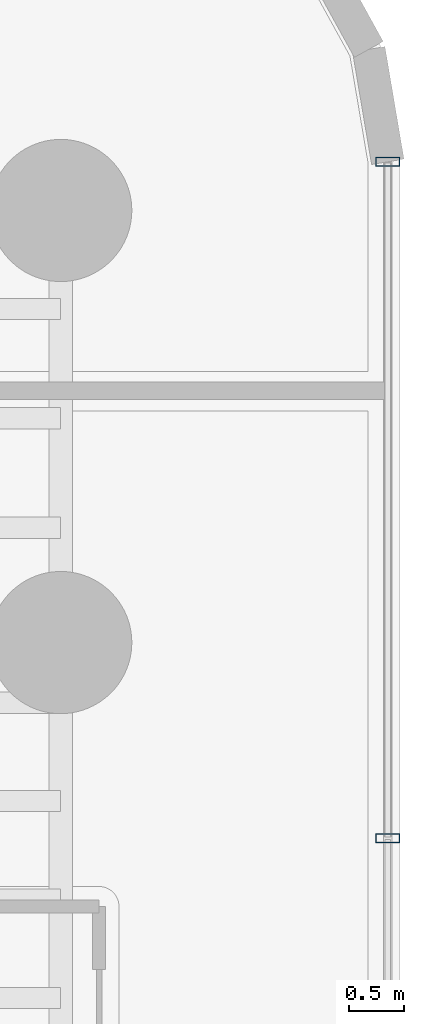
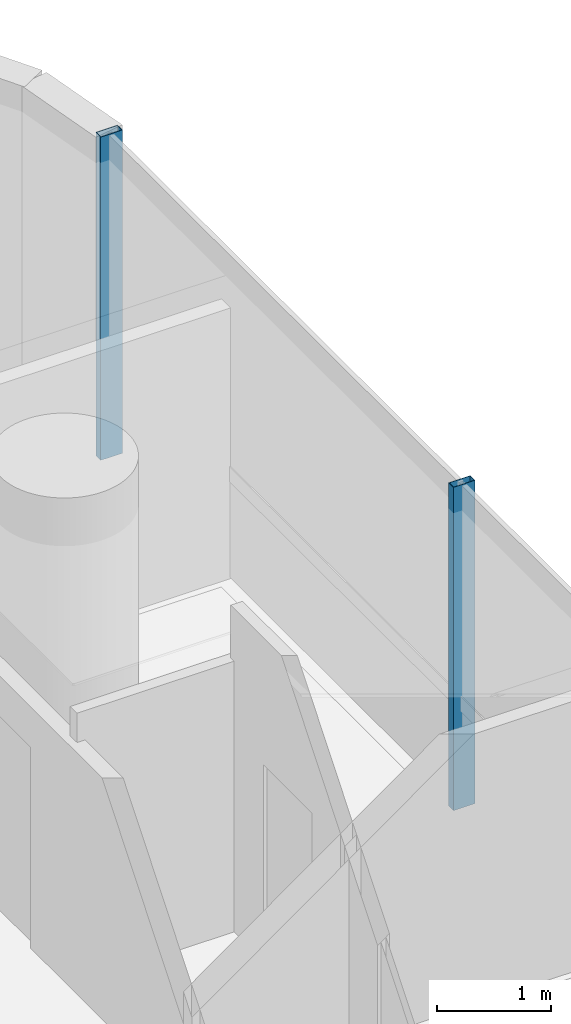
# One storey, part 26 of 39: 2 members, 1 element without a shape of its own.
"""IFC4 building model written with IfcOpenShell, lengths in metres."""

from ifc_helpers import new_model, si_unit, direction, frame, origin, origin_2d, place, context, subcontext, project, spatial, hollow_rectangle, extrude, source, transform, mapped, material, material_profile, profile_set, type_object, element, aggregate, save


model = new_model("IFC4")

# Units and contexts
model_context = context("Model", 3, precision=1e-05, world=origin(), true_north=direction((0.0, 1.0)))
body_context = subcontext(model_context, "Body", "Model", "MODEL_VIEW")
ifc_project = project(units=[si_unit("LENGTHUNIT", "METRE"), si_unit("AREAUNIT", "SQUARE_METRE"), si_unit("VOLUMEUNIT", "CUBIC_METRE"), si_unit("PLANEANGLEUNIT", "RADIAN"), si_unit("MASSUNIT", "GRAM", prefix="KILO")], contexts=[model_context])

# Site, building, storey
site_placement = place(None, origin())
site = spatial("IfcSite", under=ifc_project, at=site_placement, CompositionType="ELEMENT")
building_placement = place(site_placement, origin())
building = spatial("IfcBuilding", under=site, at=building_placement, Name="Valdorenza Pilgrim Sanctuary Tower", CompositionType="ELEMENT")
storey_placement = place(building_placement, frame((0.0, 0.0, 70.39990234375)))
storey = spatial("IfcBuildingStorey", under=building, at=storey_placement, Name="L17", CompositionType="ELEMENT", Elevation=70.39990234375)

# Curtain wall, members
ifc_material_1 = material(Name="Curtain-wall IGU glazing", Category="glass")
curtain_wall_type = type_object("IfcCurtainWallType", Name="CW-SYS-03", PredefinedType="NOTDEFINED", material=ifc_material_1)
curtain_wall_placement = place(storey_placement, origin())
curtain_wall = element("IfcCurtainWall", 1, at=curtain_wall_placement, inside=storey, type_object=curtain_wall_type, Name="L17 Curtain Wall CW-L17-1-21", PredefinedType="NOTDEFINED")
ifc_material_2 = material(Name="Anodised aluminium AW-6060", Category="aluminium")
ifc_material_profile = material_profile(ifc_material_2, hollow_rectangle(XDim=0.0849609375, YDim=0.219970703125, WallThickness=0.0048828125, at=origin_2d()), Name="ALU-M 220x85x5")
ifc_profile_set = profile_set([ifc_material_profile], Name="Anodised aluminium AW-6060")
member_type = type_object("IfcMemberType", Name="CW-MUL-03", PredefinedType="MULLION", material=ifc_profile_set)
shared_shape = source(origin(), body_context, "Body", "SweptSolid", [
    extrude(hollow_rectangle(XDim=0.0849609375, YDim=0.219970703125, WallThickness=0.0048828125, at=origin_2d()), origin(), (0.0, 0.0, 1.0), 3.460205078125),
])
member_1_placement = place(storey_placement, frame((31.389892578125, 13.945068359375, 0.0), z_axis=(0.0, 0.0, 1.0), x_axis=(0.0, -1.0, 0.0)))
member_1 = element("IfcMember", 2, at=member_1_placement, type_object=member_type, Name="CW-L17-1-21 Mullion 1", PredefinedType="MULLION", context=body_context, shape_type="MappedRepresentation", body=[
    mapped(shared_shape, transform((0.0, 0.0, 0.0), x_axis=(1.0, 0.0, 0.0), y_axis=(0.0, 1.0, 0.0), z_axis=(0.0, 0.0, 1.0), scale=1.0)),
])
member_2_placement = place(storey_placement, frame((31.389892578125, 7.761474609375, 0.0), z_axis=(0.0, 0.0, 1.0), x_axis=(0.0, -1.0, 0.0)))
member_2 = element("IfcMember", 3, at=member_2_placement, type_object=member_type, Name="CW-L17-1-21 Mullion 2", PredefinedType="MULLION", context=body_context, shape_type="MappedRepresentation", body=[
    mapped(shared_shape, transform((0.0, 0.0, 0.0), x_axis=(1.0, 0.0, 0.0), y_axis=(0.0, 1.0, 0.0), z_axis=(0.0, 0.0, 1.0), scale=1.0)),
])
aggregate(curtain_wall, [member_1, member_2])

save(model, "model.ifc")
